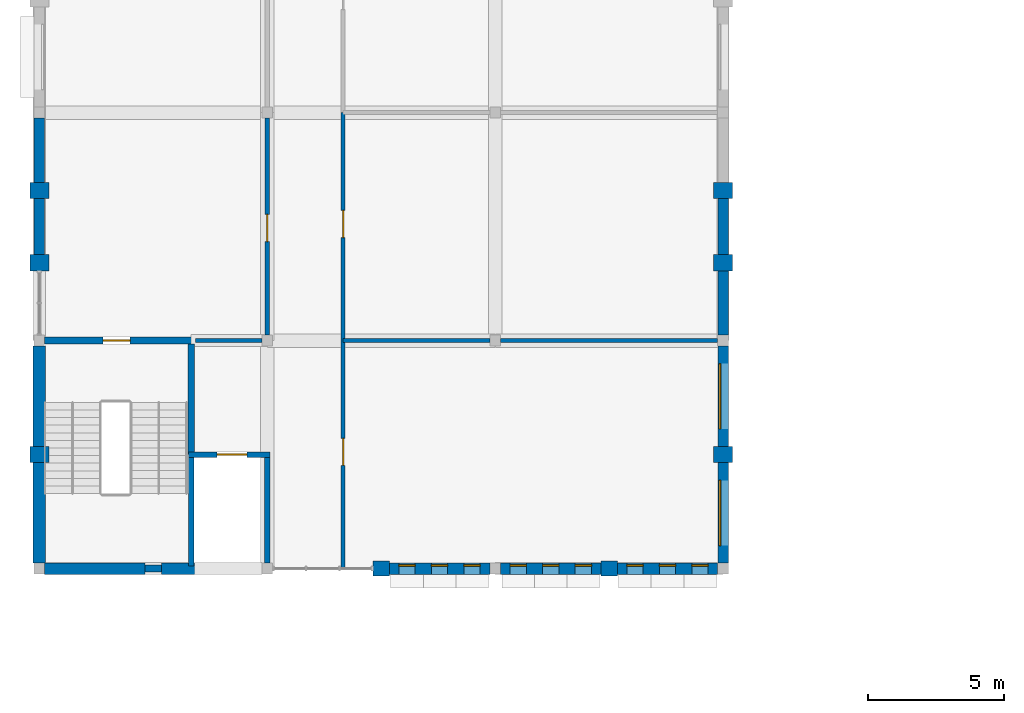
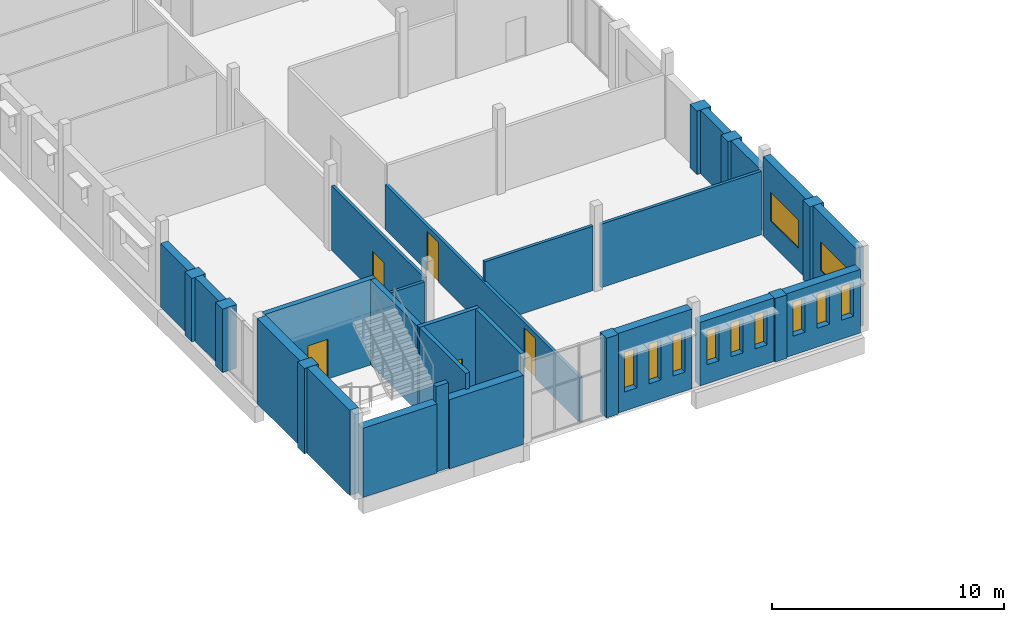
# One storey, part 14 of 22: 32 walls, 11 windows, 5 doors, 16 openings.
"""IFC4 building model written with IfcOpenShell, lengths in metres."""

from ifc_helpers import new_model, si_unit, direction, frame, frame_2d, origin, place, context, subcontext, project, spatial, rectangle, extrude, material, layer, layer_set, type_object, element, fill, save


model = new_model("IFC4")

# Units and contexts
model_context = context("Model", 3, precision=1e-05, world=origin(), true_north=direction((0.0, 1.0)))
body_context = subcontext(model_context, "Body", "Model", "MODEL_VIEW")
ifc_project = project(units=[si_unit("LENGTHUNIT", "METRE"), si_unit("AREAUNIT", "SQUARE_METRE"), si_unit("VOLUMEUNIT", "CUBIC_METRE"), si_unit("PLANEANGLEUNIT", "RADIAN"), si_unit("MASSUNIT", "GRAM", prefix="KILO")], contexts=[model_context])

# Site, building, storey
site_placement = place(None, origin())
site = spatial("IfcSite", under=ifc_project, at=site_placement, CompositionType="ELEMENT")
building_placement = place(site_placement, origin())
building = spatial("IfcBuilding", under=site, at=building_placement, Name="Fescue Hill Polytechnic", CompositionType="ELEMENT")
storey_placement = place(building_placement, frame((0.0, 0.0, 27.0)))
storey = spatial("IfcBuildingStorey", under=building, at=storey_placement, Name="L06", CompositionType="ELEMENT", Elevation=27.0)

# Walls
ifc_material_1 = material(Name="Clay brick masonry", Category="masonry")
ifc_layer_1 = layer(ifc_material_1, 0.550048828125)
ifc_layer_set_1 = layer_set([ifc_layer_1], Name="Clay brick masonry")
wall_type_1 = type_object("IfcWallType", Name="Brick pier 600x550", PredefinedType="SOLIDWALL", material=ifc_layer_set_1)
wall_1_placement = place(storey_placement, frame((12.300048828125, 50.39990234375, 0.0), z_axis=(0.0, 0.0, 1.0), x_axis=(1.0, 0.0, 0.0)))
element("IfcWall", 1, at=wall_1_placement, inside=storey, type_object=wall_type_1, Name="PR-L06-V4-24", PredefinedType="SOLIDWALL", context=body_context, shape_type="SweptSolid", body=[
    extrude(rectangle(XDim=0.599853515625, YDim=0.550048828125, at=frame_2d((0.2998046875, 0.0))), origin(), (0.0, 0.0, 1.0), 4.199951171875),
])
wall_2_placement = place(storey_placement, frame((20.699951171875, 50.39990234375, 0.0), z_axis=(0.0, 0.0, 1.0), x_axis=(1.0, 0.0, 0.0)))
element("IfcWall", 2, at=wall_2_placement, inside=storey, type_object=wall_type_1, Name="PR-L06-V4-25", PredefinedType="SOLIDWALL", context=body_context, shape_type="SweptSolid", body=[
    extrude(rectangle(XDim=0.60009765625, YDim=0.550048828125, at=frame_2d((0.300048828125, 0.0))), origin(), (0.0, 0.0, 1.0), 3.35009765625),
])

# Wall, opening, door
ifc_material_2 = material(Name="Concrete 40 MPa", Category="concrete")
ifc_layer_2 = layer(ifc_material_2, 0.25)
ifc_layer_set_2 = layer_set([ifc_layer_2], Name="Concrete 40 MPa")
wall_type_2 = type_object("IfcWallType", Name="Core wall 250", PredefinedType="SHEAR", material=ifc_layer_set_2)
wall_3_placement = place(storey_placement, frame((0.199951171875, 58.800048828125, 0.0), z_axis=(0.0, 0.0, 1.0), x_axis=(1.0, 0.0, 0.0)))
wall_3 = element("IfcWall", 3, at=wall_3_placement, inside=storey, type_object=wall_type_2, Name="CW-L06-ST-V4-1-21", PredefinedType="SHEAR", context=body_context, shape_type="SweptSolid", body=[
    extrude(rectangle(XDim=5.525146484375, YDim=0.25, at=frame_2d((2.7626953125, 0.0))), origin(), (0.0, 0.0, 1.0), 4.5),
])
opening_1_placement = place(wall_3_placement, frame((2.14990234375, 0.0, 0.0)))
opening_1 = element("IfcOpeningElement", 4, at=opening_1_placement, cuts=wall_3, Name="Opening D6026", PredefinedType="OPENING", context=body_context, shape_type="SweptSolid", body=[
    extrude(rectangle(XDim=1.0, YDim=2.10009765625, at=frame_2d((0.5, 1.050048828125))), frame((0.0, 0.135009765625, 0.0), z_axis=(0.0, -1.0, 0.0), x_axis=(1.0, 0.0, 0.0)), (0.0, 0.0, 1.0), 0.27001953125),
])
ifc_material_3 = material(Name="Steel fire door", Category="steel")
door_type_1 = type_object("IfcDoorType", Name="Door single swing 1000x2100 stair fire rated", OperationType="NOTDEFINED", PredefinedType="DOOR", material=ifc_material_3)
door_1_placement = place(opening_1_placement, origin())
door_1 = element("IfcDoor", 5, at=door_1_placement, inside=storey, type_object=door_type_1, Name="L06 ST-V4-1 stair door", OperationType="SINGLE_SWING_LEFT", OverallHeight=2.10009765625, OverallWidth=1.0, PredefinedType="DOOR", context=body_context, shape_type="SweptSolid", body=[
    extrude(rectangle(XDim=1.0, YDim=2.10009765625, at=frame_2d((0.5, 1.050048828125))), frame((0.0, 0.02490234375, 0.0), z_axis=(0.0, -1.0, 0.0), x_axis=(1.0, 0.0, 0.0)), (0.0, 0.0, 1.0), 0.050048828125),
])
fill(opening_1, door_1)

# Walls
wall_4_placement = place(storey_placement, frame((5.60009765625, 54.610107421875, 0.0), z_axis=(0.0, 0.0, 1.0), x_axis=(0.0, 1.0, 0.0)))
element("IfcWall", 6, at=wall_4_placement, inside=storey, type_object=wall_type_2, Name="CW-L06-ST-V4-1-41", PredefinedType="SHEAR", context=body_context, shape_type="SweptSolid", body=[
    extrude(rectangle(XDim=4.06494140625, YDim=0.25, at=frame_2d((2.032470703125, 0.0))), origin(), (0.0, 0.0, 1.0), 4.5),
])
wall_5_placement = place(storey_placement, frame((3.89990234375, 50.39990234375, 0.0), z_axis=(0.0, 0.0, 1.0), x_axis=(1.0, 0.0, 0.0)))
element("IfcWall", 7, at=wall_5_placement, inside=storey, type_object=wall_type_2, Name="SCW-L06-ST-V4-1-s1", PredefinedType="SHEAR", context=body_context, shape_type="SweptSolid", body=[
    extrude(rectangle(XDim=0.60009765625, YDim=0.25, at=frame_2d((0.300048828125, 0.0))), origin(), (0.0, 0.0, 1.0), 4.5),
])
ifc_layer_3 = layer(ifc_material_2, 0.449951171875)
ifc_layer_set_3 = layer_set([ifc_layer_3], Name="Concrete 40 MPa")
wall_type_3 = type_object("IfcWallType", Name="Exterior wall board-marked concrete 450 load-bearing", PredefinedType="SOLIDWALL", material=ifc_layer_set_3)
wall_6_placement = place(storey_placement, frame((0.0, 58.60009765625, 0.0), z_axis=(0.0, 0.0, 1.0), x_axis=(0.0, -1.0, 0.0)))
element("IfcWall", 8, at=wall_6_placement, inside=storey, type_object=wall_type_3, Name="EW-L06-V4-35", PredefinedType="SOLIDWALL", context=body_context, shape_type="SweptSolid", body=[
    extrude(rectangle(XDim=3.7001953125, YDim=0.449951171875, at=frame_2d((1.85009765625, 0.0))), origin(), (0.0, 0.0, 1.0), 4.5),
])
wall_7_placement = place(storey_placement, frame((0.0, 54.300048828125, 0.0), z_axis=(0.0, 0.0, 1.0), x_axis=(0.0, -1.0, 0.0)))
element("IfcWall", 9, at=wall_7_placement, inside=storey, type_object=wall_type_3, Name="EW-L06-V4-36", PredefinedType="SOLIDWALL", context=body_context, shape_type="SweptSolid", body=[
    extrude(rectangle(XDim=3.699951171875, YDim=0.449951171875, at=frame_2d((1.85009765625, 0.0))), origin(), (0.0, 0.0, 1.0), 4.5),
])

# Wall, openings, windows
ifc_layer_4 = layer(ifc_material_1, 0.419921875)
ifc_layer_set_4 = layer_set([ifc_layer_4], Name="Clay brick masonry")
wall_type_4 = type_object("IfcWallType", Name="Exterior wall buff-red brick cavity 420", PredefinedType="SOLIDWALL", material=ifc_layer_set_4)
wall_8_placement = place(storey_placement, frame((12.89990234375, 50.39990234375, 0.0), z_axis=(0.0, 0.0, 1.0), x_axis=(1.0, 0.0, 0.0)))
wall_8 = element("IfcWall", 10, at=wall_8_placement, inside=storey, type_object=wall_type_4, Name="EW-L06-V4-40", PredefinedType="SOLIDWALL", context=body_context, shape_type="SweptSolid", body=[
    extrude(rectangle(XDim=3.7001953125, YDim=0.419921875, at=frame_2d((1.85009765625, 0.0))), origin(), (0.0, 0.0, 1.0), 4.199951171875),
])
opening_2_placement = place(wall_8_placement, frame((0.35009765625, 0.0, 1.0)))
opening_2 = element("IfcOpeningElement", 11, at=opening_2_placement, cuts=wall_8, Name="Opening W6", PredefinedType="OPENING", context=body_context, shape_type="SweptSolid", body=[
    extrude(rectangle(XDim=0.60009765625, YDim=2.10009765625, at=frame_2d((0.300048828125, 1.050048828125))), frame((0.0, 0.219970703125, 0.0), z_axis=(0.0, -1.0, 0.0), x_axis=(1.0, 0.0, 0.0)), (0.0, 0.0, 1.0), 0.43994140625),
])
opening_3_placement = place(wall_8_placement, frame((1.550048828125, 0.0, 1.0)))
opening_3 = element("IfcOpeningElement", 12, at=opening_3_placement, cuts=wall_8, Name="Opening W6", PredefinedType="OPENING", context=body_context, shape_type="SweptSolid", body=[
    extrude(rectangle(XDim=0.60009765625, YDim=2.10009765625, at=frame_2d((0.300048828125, 1.050048828125))), frame((0.0, 0.219970703125, 0.0), z_axis=(0.0, -1.0, 0.0), x_axis=(1.0, 0.0, 0.0)), (0.0, 0.0, 1.0), 0.43994140625),
])
opening_4_placement = place(wall_8_placement, frame((2.75, 0.0, 1.0)))
opening_4 = element("IfcOpeningElement", 13, at=opening_4_placement, cuts=wall_8, Name="Opening W6", PredefinedType="OPENING", context=body_context, shape_type="SweptSolid", body=[
    extrude(rectangle(XDim=0.60009765625, YDim=2.10009765625, at=frame_2d((0.300048828125, 1.050048828125))), frame((0.0, 0.219970703125, 0.0), z_axis=(0.0, -1.0, 0.0), x_axis=(1.0, 0.0, 0.0)), (0.0, 0.0, 1.0), 0.43994140625),
])
ifc_material_4 = material(Name="Powder-coated aluminium and glass", Category="aluminium")
window_type_1 = type_object("IfcWindowType", Name="Window slot 600x2100", PartitioningType="SINGLE_PANEL", PredefinedType="WINDOW", material=ifc_material_4)
window_1_placement = place(opening_2_placement, origin())
window_1 = element("IfcWindow", 14, at=window_1_placement, inside=storey, type_object=window_type_1, Name="WN-L06-V4-14", OverallHeight=2.10009765625, OverallWidth=0.60009765625, PartitioningType="SINGLE_PANEL", PredefinedType="WINDOW", context=body_context, shape_type="SweptSolid", body=[
    extrude(rectangle(XDim=0.60009765625, YDim=2.10009765625, at=frame_2d((0.300048828125, 1.050048828125))), frame((0.0, 0.150146484375, 0.0), z_axis=(0.0, -1.0, 0.0), x_axis=(1.0, 0.0, 0.0)), (0.0, 0.0, 1.0), 0.06005859375),
])
fill(opening_2, window_1)
window_2_placement = place(opening_3_placement, origin())
window_2 = element("IfcWindow", 15, at=window_2_placement, inside=storey, type_object=window_type_1, Name="WN-L06-V4-15", OverallHeight=2.10009765625, OverallWidth=0.60009765625, PartitioningType="SINGLE_PANEL", PredefinedType="WINDOW", context=body_context, shape_type="SweptSolid", body=[
    extrude(rectangle(XDim=0.60009765625, YDim=2.10009765625, at=frame_2d((0.300048828125, 1.050048828125))), frame((0.0, 0.150146484375, 0.0), z_axis=(0.0, -1.0, 0.0), x_axis=(1.0, 0.0, 0.0)), (0.0, 0.0, 1.0), 0.06005859375),
])
fill(opening_3, window_2)
window_3_placement = place(opening_4_placement, origin())
window_3 = element("IfcWindow", 16, at=window_3_placement, inside=storey, type_object=window_type_1, Name="WN-L06-V4-16", OverallHeight=2.10009765625, OverallWidth=0.60009765625, PartitioningType="SINGLE_PANEL", PredefinedType="WINDOW", context=body_context, shape_type="SweptSolid", body=[
    extrude(rectangle(XDim=0.60009765625, YDim=2.10009765625, at=frame_2d((0.300048828125, 1.050048828125))), frame((0.0, 0.150146484375, 0.0), z_axis=(0.0, -1.0, 0.0), x_axis=(1.0, 0.0, 0.0)), (0.0, 0.0, 1.0), 0.06005859375),
])
fill(opening_4, window_3)

wall_9_placement = place(storey_placement, frame((17.0, 50.39990234375, 0.0), z_axis=(0.0, 0.0, 1.0), x_axis=(1.0, 0.0, 0.0)))
wall_9 = element("IfcWall", 17, at=wall_9_placement, inside=storey, type_object=wall_type_4, Name="EW-L06-V4-41", PredefinedType="SOLIDWALL", context=body_context, shape_type="SweptSolid", body=[
    extrude(rectangle(XDim=3.699951171875, YDim=0.419921875, at=frame_2d((1.85009765625, 0.0))), origin(), (0.0, 0.0, 1.0), 3.35009765625),
])
opening_5_placement = place(wall_9_placement, frame((0.35009765625, 0.0, 1.0)))
opening_5 = element("IfcOpeningElement", 18, at=opening_5_placement, cuts=wall_9, Name="Opening W6R", PredefinedType="OPENING", context=body_context, shape_type="SweptSolid", body=[
    extrude(rectangle(XDim=0.60009765625, YDim=1.800048828125, at=frame_2d((0.300048828125, 0.89990234375))), frame((0.0, 0.219970703125, 0.0), z_axis=(0.0, -1.0, 0.0), x_axis=(1.0, 0.0, 0.0)), (0.0, 0.0, 1.0), 0.43994140625),
])
opening_6_placement = place(wall_9_placement, frame((1.550048828125, 0.0, 1.0)))
opening_6 = element("IfcOpeningElement", 19, at=opening_6_placement, cuts=wall_9, Name="Opening W6R", PredefinedType="OPENING", context=body_context, shape_type="SweptSolid", body=[
    extrude(rectangle(XDim=0.60009765625, YDim=1.800048828125, at=frame_2d((0.300048828125, 0.89990234375))), frame((0.0, 0.219970703125, 0.0), z_axis=(0.0, -1.0, 0.0), x_axis=(1.0, 0.0, 0.0)), (0.0, 0.0, 1.0), 0.43994140625),
])
opening_7_placement = place(wall_9_placement, frame((2.75, 0.0, 1.0)))
opening_7 = element("IfcOpeningElement", 20, at=opening_7_placement, cuts=wall_9, Name="Opening W6R", PredefinedType="OPENING", context=body_context, shape_type="SweptSolid", body=[
    extrude(rectangle(XDim=0.60009765625, YDim=1.800048828125, at=frame_2d((0.300048828125, 0.89990234375))), frame((0.0, 0.219970703125, 0.0), z_axis=(0.0, -1.0, 0.0), x_axis=(1.0, 0.0, 0.0)), (0.0, 0.0, 1.0), 0.43994140625),
])
window_type_2 = type_object("IfcWindowType", Name="Window slot 600x1800", PartitioningType="SINGLE_PANEL", PredefinedType="WINDOW", material=ifc_material_4)
window_4_placement = place(opening_5_placement, origin())
window_4 = element("IfcWindow", 21, at=window_4_placement, inside=storey, type_object=window_type_2, Name="WN-L06-V4-17", OverallHeight=1.800048828125, OverallWidth=0.60009765625, PartitioningType="SINGLE_PANEL", PredefinedType="WINDOW", context=body_context, shape_type="SweptSolid", body=[
    extrude(rectangle(XDim=0.60009765625, YDim=1.800048828125, at=frame_2d((0.300048828125, 0.89990234375))), frame((0.0, 0.150146484375, 0.0), z_axis=(0.0, -1.0, 0.0), x_axis=(1.0, 0.0, 0.0)), (0.0, 0.0, 1.0), 0.06005859375),
])
fill(opening_5, window_4)
window_5_placement = place(opening_6_placement, origin())
window_5 = element("IfcWindow", 22, at=window_5_placement, inside=storey, type_object=window_type_2, Name="WN-L06-V4-18", OverallHeight=1.800048828125, OverallWidth=0.60009765625, PartitioningType="SINGLE_PANEL", PredefinedType="WINDOW", context=body_context, shape_type="SweptSolid", body=[
    extrude(rectangle(XDim=0.60009765625, YDim=1.800048828125, at=frame_2d((0.300048828125, 0.89990234375))), frame((0.0, 0.150146484375, 0.0), z_axis=(0.0, -1.0, 0.0), x_axis=(1.0, 0.0, 0.0)), (0.0, 0.0, 1.0), 0.06005859375),
])
fill(opening_6, window_5)
window_6_placement = place(opening_7_placement, origin())
window_6 = element("IfcWindow", 23, at=window_6_placement, inside=storey, type_object=window_type_2, Name="WN-L06-V4-19", OverallHeight=1.800048828125, OverallWidth=0.60009765625, PartitioningType="SINGLE_PANEL", PredefinedType="WINDOW", context=body_context, shape_type="SweptSolid", body=[
    extrude(rectangle(XDim=0.60009765625, YDim=1.800048828125, at=frame_2d((0.300048828125, 0.89990234375))), frame((0.0, 0.150146484375, 0.0), z_axis=(0.0, -1.0, 0.0), x_axis=(1.0, 0.0, 0.0)), (0.0, 0.0, 1.0), 0.06005859375),
])
fill(opening_7, window_6)

wall_10_placement = place(storey_placement, frame((21.300048828125, 50.39990234375, 0.0), z_axis=(0.0, 0.0, 1.0), x_axis=(1.0, 0.0, 0.0)))
wall_10 = element("IfcWall", 24, at=wall_10_placement, inside=storey, type_object=wall_type_4, Name="EW-L06-V4-42", PredefinedType="SOLIDWALL", context=body_context, shape_type="SweptSolid", body=[
    extrude(rectangle(XDim=3.699951171875, YDim=0.419921875, at=frame_2d((1.85009765625, 0.0))), origin(), (0.0, 0.0, 1.0), 3.35009765625),
])
opening_8_placement = place(wall_10_placement, frame((0.35009765625, 0.0, 1.0)))
opening_8 = element("IfcOpeningElement", 25, at=opening_8_placement, cuts=wall_10, Name="Opening W6R", PredefinedType="OPENING", context=body_context, shape_type="SweptSolid", body=[
    extrude(rectangle(XDim=0.60009765625, YDim=1.800048828125, at=frame_2d((0.300048828125, 0.89990234375))), frame((0.0, 0.219970703125, 0.0), z_axis=(0.0, -1.0, 0.0), x_axis=(1.0, 0.0, 0.0)), (0.0, 0.0, 1.0), 0.43994140625),
])
opening_9_placement = place(wall_10_placement, frame((1.550048828125, 0.0, 1.0)))
opening_9 = element("IfcOpeningElement", 26, at=opening_9_placement, cuts=wall_10, Name="Opening W6R", PredefinedType="OPENING", context=body_context, shape_type="SweptSolid", body=[
    extrude(rectangle(XDim=0.60009765625, YDim=1.800048828125, at=frame_2d((0.300048828125, 0.89990234375))), frame((0.0, 0.219970703125, 0.0), z_axis=(0.0, -1.0, 0.0), x_axis=(1.0, 0.0, 0.0)), (0.0, 0.0, 1.0), 0.43994140625),
])
opening_10_placement = place(wall_10_placement, frame((2.75, 0.0, 1.0)))
opening_10 = element("IfcOpeningElement", 27, at=opening_10_placement, cuts=wall_10, Name="Opening W6R", PredefinedType="OPENING", context=body_context, shape_type="SweptSolid", body=[
    extrude(rectangle(XDim=0.60009765625, YDim=1.800048828125, at=frame_2d((0.300048828125, 0.89990234375))), frame((0.0, 0.219970703125, 0.0), z_axis=(0.0, -1.0, 0.0), x_axis=(1.0, 0.0, 0.0)), (0.0, 0.0, 1.0), 0.43994140625),
])
window_7_placement = place(opening_8_placement, origin())
window_7 = element("IfcWindow", 28, at=window_7_placement, inside=storey, type_object=window_type_2, Name="WN-L06-V4-20", OverallHeight=1.800048828125, OverallWidth=0.60009765625, PartitioningType="SINGLE_PANEL", PredefinedType="WINDOW", context=body_context, shape_type="SweptSolid", body=[
    extrude(rectangle(XDim=0.60009765625, YDim=1.800048828125, at=frame_2d((0.300048828125, 0.89990234375))), frame((0.0, 0.150146484375, 0.0), z_axis=(0.0, -1.0, 0.0), x_axis=(1.0, 0.0, 0.0)), (0.0, 0.0, 1.0), 0.06005859375),
])
fill(opening_8, window_7)
window_8_placement = place(opening_9_placement, origin())
window_8 = element("IfcWindow", 29, at=window_8_placement, inside=storey, type_object=window_type_2, Name="WN-L06-V4-21", OverallHeight=1.800048828125, OverallWidth=0.60009765625, PartitioningType="SINGLE_PANEL", PredefinedType="WINDOW", context=body_context, shape_type="SweptSolid", body=[
    extrude(rectangle(XDim=0.60009765625, YDim=1.800048828125, at=frame_2d((0.300048828125, 0.89990234375))), frame((0.0, 0.150146484375, 0.0), z_axis=(0.0, -1.0, 0.0), x_axis=(1.0, 0.0, 0.0)), (0.0, 0.0, 1.0), 0.06005859375),
])
fill(opening_9, window_8)
window_9_placement = place(opening_10_placement, origin())
window_9 = element("IfcWindow", 30, at=window_9_placement, inside=storey, type_object=window_type_2, Name="WN-L06-V4-22", OverallHeight=1.800048828125, OverallWidth=0.60009765625, PartitioningType="SINGLE_PANEL", PredefinedType="WINDOW", context=body_context, shape_type="SweptSolid", body=[
    extrude(rectangle(XDim=0.60009765625, YDim=1.800048828125, at=frame_2d((0.300048828125, 0.89990234375))), frame((0.0, 0.150146484375, 0.0), z_axis=(0.0, -1.0, 0.0), x_axis=(1.0, 0.0, 0.0)), (0.0, 0.0, 1.0), 0.06005859375),
])
fill(opening_10, window_9)

# Walls
ifc_layer_5 = layer(ifc_material_1, 0.419921875)
ifc_layer_set_5 = layer_set([ifc_layer_5], Name="Clay brick masonry")
wall_type_5 = type_object("IfcWallType", Name="Exterior wall buff-red brick cavity 420 load-bearing", PredefinedType="SOLIDWALL", material=ifc_layer_set_5)
for number, where, z_axis, x_axis, name in (
    (31, (0.199951171875, 50.39990234375, 0.0), (0.0, 0.0, 1.0), (1.0, 0.0, 0.0), "EW-L06-V4-37"),
    (32, (4.5, 50.39990234375, 0.0), (0.0, 0.0, 1.0), (1.0, 0.0, 0.0), "EW-L06-V4-38"),
):
    element("IfcWall", number, at=place(storey_placement, frame(where, z_axis=z_axis, x_axis=x_axis)), inside=storey, type_object=wall_type_5, Name=name, PredefinedType="SOLIDWALL", context=body_context, shape_type="SweptSolid", body=[
        extrude(rectangle(XDim=3.699951171875, YDim=0.419921875, at=frame_2d((1.85009765625, 0.0))), origin(), (0.0, 0.0, 1.0), 3.64990234375),
    ])

# Wall, opening, window
ifc_material_5 = material(Name="Terracotta rainscreen on concrete block", Category="masonry")
ifc_layer_6 = layer(ifc_material_5, 0.3798828125)
ifc_layer_set_6 = layer_set([ifc_layer_6], Name="Terracotta rainscreen on concrete block")
wall_type_6 = type_object("IfcWallType", Name="Exterior wall rainscreen terracotta on blockwork 380", PredefinedType="SOLIDWALL", material=ifc_layer_set_6)
wall_11_placement = place(storey_placement, frame((25.199951171875, 50.60009765625, 0.0), z_axis=(0.0, 0.0, 1.0), x_axis=(0.0, 1.0, 0.0)))
wall_11 = element("IfcWall", 33, at=wall_11_placement, inside=storey, type_object=wall_type_6, Name="EW-L06-V4-1", PredefinedType="SOLIDWALL", context=body_context, shape_type="SweptSolid", body=[
    extrude(rectangle(XDim=3.699951171875, YDim=0.3798828125, at=frame_2d((1.85009765625, 0.0))), origin(), (0.0, 0.0, 1.0), 4.199951171875),
])
opening_11_placement = place(wall_11_placement, frame((0.64990234375, 0.0, 1.199951171875)))
opening_11 = element("IfcOpeningElement", 34, at=opening_11_placement, cuts=wall_11, Name="Opening W3", PredefinedType="OPENING", context=body_context, shape_type="SweptSolid", body=[
    extrude(rectangle(XDim=2.39990234375, YDim=1.5, at=frame_2d((1.199951171875, 0.75))), frame((0.0, 0.199951171875, 0.0), z_axis=(0.0, -1.0, 0.0), x_axis=(1.0, 0.0, 0.0)), (0.0, 0.0, 1.0), 0.39990234375),
])
window_type_3 = type_object("IfcWindowType", Name="Window laboratory strip 2400x1500", PartitioningType="TRIPLE_PANEL_VERTICAL", PredefinedType="WINDOW", material=ifc_material_4)
window_10_placement = place(opening_11_placement, origin())
window_10 = element("IfcWindow", 35, at=window_10_placement, inside=storey, type_object=window_type_3, Name="WN-L06-V4-1", OverallHeight=1.5, OverallWidth=2.39990234375, PartitioningType="SINGLE_PANEL", PredefinedType="WINDOW", context=body_context, shape_type="SweptSolid", body=[
    extrude(rectangle(XDim=2.39990234375, YDim=1.5, at=frame_2d((1.199951171875, 0.75))), frame((0.0, 0.150146484375, 0.0), z_axis=(0.0, -1.0, 0.0), x_axis=(1.0, 0.0, 0.0)), (0.0, 0.0, 1.0), 0.06005859375),
])
fill(opening_11, window_10)

wall_12_placement = place(storey_placement, frame((25.199951171875, 54.89990234375, 0.0), z_axis=(0.0, 0.0, 1.0), x_axis=(0.0, 1.0, 0.0)))
wall_12 = element("IfcWall", 36, at=wall_12_placement, inside=storey, type_object=wall_type_6, Name="EW-L06-V4-2", PredefinedType="SOLIDWALL", context=body_context, shape_type="SweptSolid", body=[
    extrude(rectangle(XDim=3.7001953125, YDim=0.3798828125, at=frame_2d((1.85009765625, 0.0))), origin(), (0.0, 0.0, 1.0), 4.199951171875),
])
opening_12_placement = place(wall_12_placement, frame((0.64990234375, 0.0, 1.199951171875)))
opening_12 = element("IfcOpeningElement", 37, at=opening_12_placement, cuts=wall_12, Name="Opening W3", PredefinedType="OPENING", context=body_context, shape_type="SweptSolid", body=[
    extrude(rectangle(XDim=2.39990234375, YDim=1.5, at=frame_2d((1.199951171875, 0.75))), frame((0.0, 0.199951171875, 0.0), z_axis=(0.0, -1.0, 0.0), x_axis=(1.0, 0.0, 0.0)), (0.0, 0.0, 1.0), 0.39990234375),
])
window_11_placement = place(opening_12_placement, origin())
window_11 = element("IfcWindow", 38, at=window_11_placement, inside=storey, type_object=window_type_3, Name="WN-L06-V4-2", OverallHeight=1.5, OverallWidth=2.39990234375, PartitioningType="SINGLE_PANEL", PredefinedType="WINDOW", context=body_context, shape_type="SweptSolid", body=[
    extrude(rectangle(XDim=2.39990234375, YDim=1.5, at=frame_2d((1.199951171875, 0.75))), frame((0.0, 0.150146484375, 0.0), z_axis=(0.0, -1.0, 0.0), x_axis=(1.0, 0.0, 0.0)), (0.0, 0.0, 1.0), 0.06005859375),
])
fill(opening_12, window_11)

# Walls
wall_13_placement = place(storey_placement, frame((25.199951171875, 59.0, 0.0), z_axis=(0.0, 0.0, 1.0), x_axis=(0.0, 1.0, 0.0)))
element("IfcWall", 39, at=wall_13_placement, inside=storey, type_object=wall_type_6, Name="EW-L06-V4-3", PredefinedType="SOLIDWALL", context=body_context, shape_type="SweptSolid", body=[
    extrude(rectangle(XDim=2.36669921875, YDim=0.3798828125, at=frame_2d((1.183349609375, 0.0))), origin(), (0.0, 0.0, 1.0), 3.35009765625),
])
wall_14_placement = place(storey_placement, frame((25.199951171875, 61.966796875, 0.0), z_axis=(0.0, 0.0, 1.0), x_axis=(0.0, 1.0, 0.0)))
element("IfcWall", 40, at=wall_14_placement, inside=storey, type_object=wall_type_6, Name="EW-L06-V4-4", PredefinedType="SOLIDWALL", context=body_context, shape_type="SweptSolid", body=[
    extrude(rectangle(XDim=2.06640625, YDim=0.3798828125, at=frame_2d((1.033203125, 0.0))), origin(), (0.0, 0.0, 1.0), 3.35009765625),
])
wall_15_placement = place(storey_placement, frame((0.0, 67.0, 0.0), z_axis=(0.0, 0.0, 1.0), x_axis=(0.0, -1.0, 0.0)))
element("IfcWall", 41, at=wall_15_placement, inside=storey, type_object=wall_type_6, Name="EW-L06-V4-32", PredefinedType="SOLIDWALL", context=body_context, shape_type="SweptSolid", body=[
    extrude(rectangle(XDim=2.36669921875, YDim=0.3798828125, at=frame_2d((1.183349609375, 0.0))), origin(), (0.0, 0.0, 1.0), 3.35009765625),
])
wall_16_placement = place(storey_placement, frame((0.0, 64.033203125, 0.0), z_axis=(0.0, 0.0, 1.0), x_axis=(0.0, -1.0, 0.0)))
element("IfcWall", 42, at=wall_16_placement, inside=storey, type_object=wall_type_6, Name="EW-L06-V4-33", PredefinedType="SOLIDWALL", context=body_context, shape_type="SweptSolid", body=[
    extrude(rectangle(XDim=2.06640625, YDim=0.3798828125, at=frame_2d((1.033203125, 0.0))), origin(), (0.0, 0.0, 1.0), 3.35009765625),
])
ifc_layer_7 = layer(ifc_material_2, 0.699951171875)
ifc_layer_set_7 = layer_set([ifc_layer_7], Name="Concrete 40 MPa")
wall_type_7 = type_object("IfcWallType", Name="Fin wall board-marked 600x700", PredefinedType="SOLIDWALL", material=ifc_layer_set_7)
wall_17_placement = place(storey_placement, frame((25.199951171875, 54.300048828125, 0.0), z_axis=(0.0, 0.0, 1.0), x_axis=(0.0, 1.0, 0.0)))
element("IfcWall", 43, at=wall_17_placement, inside=storey, type_object=wall_type_7, Name="PR-L06-V4-1", PredefinedType="SOLIDWALL", context=body_context, shape_type="SweptSolid", body=[
    extrude(rectangle(XDim=0.599853515625, YDim=0.699951171875, at=frame_2d((0.2998046875, 0.0))), origin(), (0.0, 0.0, 1.0), 4.199951171875),
])
for number, where, z_axis, x_axis, name in (
    (44, (25.199951171875, 61.36669921875, 0.0), (0.0, 0.0, 1.0), (0.0, 1.0, 0.0), "PR-L06-V4-2"),
    (45, (25.199951171875, 64.033203125, 0.0), (0.0, 0.0, 1.0), (0.0, 1.0, 0.0), "PR-L06-V4-3"),
    (46, (0.0, 64.63330078125, 0.0), (0.0, 0.0, 1.0), (0.0, -1.0, 0.0), "PR-L06-V4-20"),
    (47, (0.0, 61.966796875, 0.0), (0.0, 0.0, 1.0), (0.0, -1.0, 0.0), "PR-L06-V4-21"),
):
    element("IfcWall", number, at=place(storey_placement, frame(where, z_axis=z_axis, x_axis=x_axis)), inside=storey, type_object=wall_type_7, Name=name, PredefinedType="SOLIDWALL", context=body_context, shape_type="SweptSolid", body=[
        extrude(rectangle(XDim=0.60009765625, YDim=0.699951171875, at=frame_2d((0.300048828125, 0.0))), origin(), (0.0, 0.0, 1.0), 3.35009765625),
    ])
wall_18_placement = place(storey_placement, frame((0.0, 54.89990234375, 0.0), z_axis=(0.0, 0.0, 1.0), x_axis=(0.0, -1.0, 0.0)))
element("IfcWall", 48, at=wall_18_placement, inside=storey, type_object=wall_type_7, Name="PR-L06-V4-22", PredefinedType="SOLIDWALL", context=body_context, shape_type="SweptSolid", body=[
    extrude(rectangle(XDim=0.599853515625, YDim=0.699951171875, at=frame_2d((0.2998046875, 0.0))), origin(), (0.0, 0.0, 1.0), 4.5),
])
ifc_material_6 = material(Name="Concrete masonry block 15 MPa", Category="masonry")
ifc_layer_8 = layer(ifc_material_6, 0.14990234375)
ifc_layer_set_8 = layer_set([ifc_layer_8], Name="Concrete masonry block 15 MPa")
wall_type_8 = type_object("IfcWallType", Name="Laboratory wall 150 block EI 60", PredefinedType="PARTITIONING", material=ifc_layer_set_8)
wall_19_placement = place(storey_placement, frame((11.199951171875, 58.800048828125, 0.0), z_axis=(0.0, 0.0, 1.0), x_axis=(1.0, 0.0, 0.0)))
element("IfcWall", 49, at=wall_19_placement, inside=storey, type_object=wall_type_8, Name="IW-L06-001", PredefinedType="PARTITIONING", context=body_context, shape_type="SweptSolid", body=[
    extrude(rectangle(XDim=5.400146484375, YDim=0.14990234375, at=frame_2d((2.7001953125, 0.0))), origin(), (0.0, 0.0, 1.0), 3.39990234375),
])
wall_20_placement = place(storey_placement, frame((17.0, 58.800048828125, 0.0), z_axis=(0.0, 0.0, 1.0), x_axis=(1.0, 0.0, 0.0)))
element("IfcWall", 50, at=wall_20_placement, inside=storey, type_object=wall_type_8, Name="IW-L06-002", PredefinedType="PARTITIONING", context=body_context, shape_type="SweptSolid", body=[
    extrude(rectangle(XDim=8.0, YDim=0.14990234375, at=frame_2d((4.0, 0.0))), origin(), (0.0, 0.0, 1.0), 3.35009765625),
])

# Wall, opening, door
wall_21_placement = place(storey_placement, frame((8.39990234375, 59.0, 0.0), z_axis=(0.0, 0.0, 1.0), x_axis=(0.0, 1.0, 0.0)))
wall_21 = element("IfcWall", 51, at=wall_21_placement, inside=storey, type_object=wall_type_8, Name="IW-L06-034", PredefinedType="PARTITIONING", context=body_context, shape_type="SweptSolid", body=[
    extrude(rectangle(XDim=8.0, YDim=0.14990234375, at=frame_2d((4.0, 0.0))), origin(), (0.0, 0.0, 1.0), 3.39990234375),
])
opening_13_placement = place(wall_21_placement, frame((3.449951171875, 0.0, 0.0)))
opening_13 = element("IfcOpeningElement", 52, at=opening_13_placement, cuts=wall_21, Name="Opening D6001", PredefinedType="OPENING", context=body_context, shape_type="SweptSolid", body=[
    extrude(rectangle(XDim=1.0, YDim=2.10009765625, at=frame_2d((0.5, 1.050048828125))), frame((0.0, 0.0849609375, 0.0), z_axis=(0.0, -1.0, 0.0), x_axis=(1.0, 0.0, 0.0)), (0.0, 0.0, 1.0), 0.169921875),
])
ifc_material_7 = material(Name="Steel", Category="steel")
door_type_2 = type_object("IfcDoorType", Name="Door single swing 1000x2100 FD60", OperationType="SINGLE_SWING_LEFT", PredefinedType="DOOR", material=ifc_material_7)
door_2_placement = place(opening_13_placement, origin())
door_2 = element("IfcDoor", 53, at=door_2_placement, inside=storey, type_object=door_type_2, Name="Door D6001", OperationType="SINGLE_SWING_LEFT", OverallHeight=2.10009765625, OverallWidth=1.0, PredefinedType="DOOR", context=body_context, shape_type="SweptSolid", body=[
    extrude(rectangle(XDim=1.0, YDim=2.10009765625, at=frame_2d((0.5, 1.050048828125))), frame((0.0, 0.02490234375, 0.0), z_axis=(0.0, -1.0, 0.0), x_axis=(1.0, 0.0, 0.0)), (0.0, 0.0, 1.0), 0.050048828125),
])
fill(opening_13, door_2)

# Wall, openings, doors
wall_22_placement = place(storey_placement, frame((11.199951171875, 50.39990234375, 0.0), z_axis=(0.0, 0.0, 1.0), x_axis=(0.0, 1.0, 0.0)))
wall_22 = element("IfcWall", 54, at=wall_22_placement, inside=storey, type_object=wall_type_8, Name="IW-L06-045", PredefinedType="PARTITIONING", context=body_context, shape_type="SweptSolid", body=[
    extrude(rectangle(XDim=16.800048828125, YDim=0.14990234375, at=frame_2d((8.39990234375, 0.0))), origin(), (0.0, 0.0, 1.0), 2.3701171875),
])
opening_14_placement = place(wall_22_placement, frame((3.800048828125, 0.0, 0.0)))
opening_14 = element("IfcOpeningElement", 55, at=opening_14_placement, cuts=wall_22, Name="Opening D6007", PredefinedType="OPENING", context=body_context, shape_type="SweptSolid", body=[
    extrude(rectangle(XDim=1.0, YDim=2.10009765625, at=frame_2d((0.5, 1.050048828125))), frame((0.0, 0.0849609375, 0.0), z_axis=(0.0, -1.0, 0.0), x_axis=(1.0, 0.0, 0.0)), (0.0, 0.0, 1.0), 0.169921875),
])
opening_15_placement = place(wall_22_placement, frame((12.199951171875, 0.0, 0.0)))
opening_15 = element("IfcOpeningElement", 56, at=opening_15_placement, cuts=wall_22, Name="Opening D6008", PredefinedType="OPENING", context=body_context, shape_type="SweptSolid", body=[
    extrude(rectangle(XDim=1.0, YDim=2.10009765625, at=frame_2d((0.5, 1.050048828125))), frame((0.0, 0.0849609375, 0.0), z_axis=(0.0, -1.0, 0.0), x_axis=(1.0, 0.0, 0.0)), (0.0, 0.0, 1.0), 0.169921875),
])
door_3_placement = place(opening_14_placement, origin())
door_3 = element("IfcDoor", 57, at=door_3_placement, inside=storey, type_object=door_type_2, Name="Door D6007", OperationType="SINGLE_SWING_LEFT", OverallHeight=2.10009765625, OverallWidth=1.0, PredefinedType="DOOR", context=body_context, shape_type="SweptSolid", body=[
    extrude(rectangle(XDim=1.0, YDim=2.10009765625, at=frame_2d((0.5, 1.050048828125))), frame((0.0, 0.02490234375, 0.0), z_axis=(0.0, -1.0, 0.0), x_axis=(1.0, 0.0, 0.0)), (0.0, 0.0, 1.0), 0.050048828125),
])
fill(opening_14, door_3)
door_4_placement = place(opening_15_placement, origin())
door_4 = element("IfcDoor", 58, at=door_4_placement, inside=storey, type_object=door_type_2, Name="Door D6008", OperationType="SINGLE_SWING_RIGHT", OverallHeight=2.10009765625, OverallWidth=1.0, PredefinedType="DOOR", context=body_context, shape_type="SweptSolid", body=[
    extrude(rectangle(XDim=1.0, YDim=2.10009765625, at=frame_2d((0.5, 1.050048828125))), frame((0.0, 0.02490234375, 0.0), z_axis=(0.0, -1.0, 0.0), x_axis=(1.0, 0.0, 0.0)), (0.0, 0.0, 1.0), 0.050048828125),
])
fill(opening_15, door_4)

# Wall, opening, door
ifc_layer_9 = layer(ifc_material_2, 0.199951171875)
ifc_layer_set_9 = layer_set([ifc_layer_9], Name="Concrete 40 MPa")
wall_type_9 = type_object("IfcWallType", Name="Lift shaft wall 200", PredefinedType="SHEAR", material=ifc_layer_set_9)
wall_23_placement = place(storey_placement, frame((5.5, 54.60009765625, 0.0), z_axis=(0.0, 0.0, 1.0), x_axis=(1.0, 0.0, 0.0)))
wall_23 = element("IfcWall", 59, at=wall_23_placement, inside=storey, type_object=wall_type_9, Name="CW-L06-LF-V4-1-21", PredefinedType="SHEAR", context=body_context, shape_type="SweptSolid", body=[
    extrude(rectangle(XDim=3.0, YDim=0.199951171875, at=frame_2d((1.5, 0.0))), origin(), (0.0, 0.0, 1.0), 4.5),
])
opening_16_placement = place(wall_23_placement, frame((1.050048828125, 0.0, 0.0)))
opening_16 = element("IfcOpeningElement", 60, at=opening_16_placement, cuts=wall_23, Name="Opening LD4-L06", PredefinedType="OPENING", context=body_context, shape_type="SweptSolid", body=[
    extrude(rectangle(XDim=1.10009765625, YDim=2.10009765625, at=frame_2d((0.550048828125, 1.050048828125))), frame((0.0, 0.10986328125, 0.0), z_axis=(0.0, -1.0, 0.0), x_axis=(1.0, 0.0, 0.0)), (0.0, 0.0, 1.0), 0.219970703125),
])
ifc_material_8 = material(Name="Stainless steel", Category="steel")
door_type_3 = type_object("IfcDoorType", Name="Lift landing door sliding 1100x2100", OperationType="SLIDING_TO_LEFT", PredefinedType="DOOR", material=ifc_material_8)
door_5_placement = place(opening_16_placement, origin())
door_5 = element("IfcDoor", 61, at=door_5_placement, inside=storey, type_object=door_type_3, Name="L06 LF-V4-1 lift landing door", OperationType="SLIDING_TO_LEFT", OverallHeight=2.10009765625, OverallWidth=1.10009765625, PredefinedType="DOOR", context=body_context, shape_type="SweptSolid", body=[
    extrude(rectangle(XDim=1.10009765625, YDim=2.10009765625, at=frame_2d((0.550048828125, 1.050048828125))), frame((0.0, 0.02490234375, 0.0), z_axis=(0.0, -1.0, 0.0), x_axis=(1.0, 0.0, 0.0)), (0.0, 0.0, 1.0), 0.050048828125),
])
fill(opening_16, door_5)

# Walls
wall_24_placement = place(storey_placement, frame((5.60009765625, 50.5, 0.0), z_axis=(0.0, 0.0, 1.0), x_axis=(0.0, 1.0, 0.0)))
element("IfcWall", 62, at=wall_24_placement, inside=storey, type_object=wall_type_9, Name="CW-L06-LF-V4-1-31", PredefinedType="SHEAR", context=body_context, shape_type="SweptSolid", body=[
    extrude(rectangle(XDim=4.0, YDim=0.199951171875, at=frame_2d((2.0, 0.0))), origin(), (0.0, 0.0, 1.0), 4.5),
])
wall_25_placement = place(storey_placement, frame((8.39990234375, 50.60009765625, 0.0), z_axis=(0.0, 0.0, 1.0), x_axis=(0.0, 1.0, 0.0)))
element("IfcWall", 63, at=wall_25_placement, inside=storey, type_object=wall_type_9, Name="CW-L06-LF-V4-1-41", PredefinedType="SHEAR", context=body_context, shape_type="SweptSolid", body=[
    extrude(rectangle(XDim=3.89990234375, YDim=0.199951171875, at=frame_2d((1.949951171875, 0.0))), origin(), (0.0, 0.0, 1.0), 4.5),
])
ifc_material_9 = material(Name="Gypsum board partition")
ifc_layer_10 = layer(ifc_material_9, 0.14990234375)
ifc_layer_set_10 = layer_set([ifc_layer_10], Name="Gypsum board partition")
wall_type_10 = type_object("IfcWallType", Name="Lobby wall 150 EI 60", PredefinedType="PARTITIONING", material=ifc_layer_set_10)
wall_26_placement = place(storey_placement, frame((5.75, 58.800048828125, 0.0), z_axis=(0.0, 0.0, 1.0), x_axis=(1.0, 0.0, 0.0)))
element("IfcWall", 64, at=wall_26_placement, inside=storey, type_object=wall_type_10, Name="IW-L06-003", PredefinedType="PARTITIONING", context=body_context, shape_type="SweptSolid", body=[
    extrude(rectangle(XDim=2.449951171875, YDim=0.14990234375, at=frame_2d((1.22509765625, 0.0))), origin(), (0.0, 0.0, 1.0), 3.39990234375),
])

save(model, "model.ifc")
